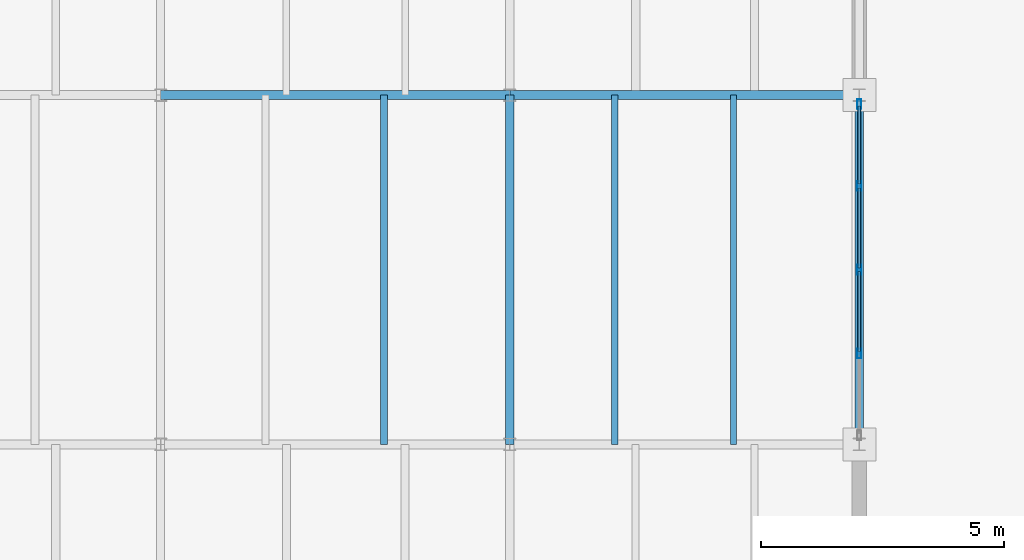
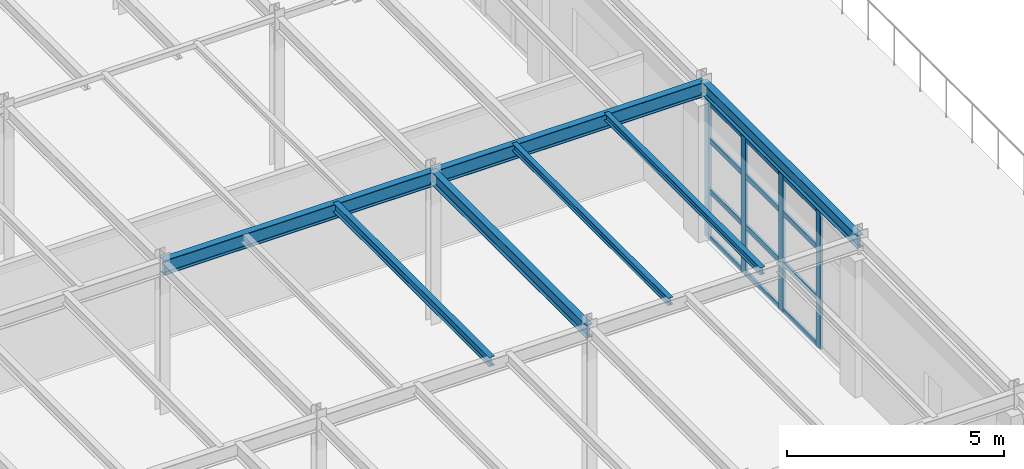
# One storey, part 16 of 36: 16 members, 7 beams, 1 element without a shape of its own.
"""IFC4 building model written with IfcOpenShell, lengths in metres."""

from ifc_helpers import new_model, si_unit, direction, frame, origin, origin_2d, place, context, subcontext, project, spatial, hollow_rectangle, i_section, extrude, material, layer, layer_set, material_profile, profile_set, type_object, element, aggregate, save


model = new_model("IFC4")

# Units and contexts
model_context = context("Model", 3, precision=1e-05, world=origin(), true_north=direction((0.0, 1.0)))
body_context = subcontext(model_context, "Body", "Model", "MODEL_VIEW")
ifc_project = project(units=[si_unit("LENGTHUNIT", "METRE"), si_unit("AREAUNIT", "SQUARE_METRE"), si_unit("VOLUMEUNIT", "CUBIC_METRE"), si_unit("PLANEANGLEUNIT", "RADIAN"), si_unit("MASSUNIT", "GRAM", prefix="KILO")], contexts=[model_context])

# Site, building, storey
site_placement = place(None, origin())
site = spatial("IfcSite", under=ifc_project, at=site_placement, CompositionType="ELEMENT")
building_placement = place(site_placement, origin())
building = spatial("IfcBuilding", under=site, at=building_placement, Name="Kemerveld Promenade Tramway Depot", CompositionType="ELEMENT")
storey_placement = place(building_placement, frame((0.0, 0.0, 14.39990234375)))
storey = spatial("IfcBuildingStorey", under=building, at=storey_placement, Name="L03", CompositionType="ELEMENT", Elevation=14.39990234375)

# Beams
ifc_material_1 = material(Name="Steel S355", Category="steel")
ifc_material_profile_1 = material_profile(ifc_material_1, i_section(OverallWidth=0.1787109375, OverallDepth=0.409423828125, WebThickness=0.0087890625, FlangeThickness=0.014404296875, FilletRadius=0.01025390625, at=origin_2d()), Name="406x178x67 UB")
ifc_profile_set_1 = profile_set([ifc_material_profile_1], Name="Steel S355")
beam_type_1 = type_object("IfcBeamType", Name="BM-G07", PredefinedType="BEAM", material=ifc_profile_set_1)
for number, where, z_axis, x_axis, name in (
    (1, (28.800048828125, 21.60009765625, 4.080322265625), (1.0, 0.0, 0.0), (0.0, 1.0, 0.0), "BMX-L03-05-06-D"),
    (2, (36.0, 21.60009765625, 4.080322265625), (1.0, 0.0, 0.0), (0.0, 1.0, 0.0), "BMX-L03-06-07-D"),
):
    element("IfcBeam", number, at=place(storey_placement, frame(where, z_axis=z_axis, x_axis=x_axis)), inside=storey, type_object=beam_type_1, Name=name, PredefinedType="BEAM", context=body_context, shape_type="SweptSolid", body=[
        extrude(i_section(OverallWidth=0.1787109375, OverallDepth=0.409423828125, WebThickness=0.0087890625, FlangeThickness=0.014404296875, FilletRadius=0.01025390625, at=origin_2d()), origin(), (0.0, 0.0, 1.0), 7.199951171875),
    ])
ifc_material_profile_2 = material_profile(ifc_material_1, i_section(OverallWidth=0.172119140625, OverallDepth=0.35791015625, WebThickness=0.008056640625, FlangeThickness=0.012939453125, FilletRadius=0.01025390625, at=origin_2d()), Name="356x171x57 UB")
ifc_profile_set_2 = profile_set([ifc_material_profile_2], Name="Steel S355")
beam_type_2 = type_object("IfcBeamType", Name="BM-G08", PredefinedType="BEAM", material=ifc_profile_set_2)
for number, where, z_axis, x_axis, name in (
    (3, (36.0, 14.39990234375, 4.106201171875), (0.0, 1.0, 0.0), (-1.0, 0.0, 0.0), "BMY-L03-06-C-D"),
    (4, (43.199951171875, 14.39990234375, 4.106201171875), (0.0, 1.0, 0.0), (-1.0, 0.0, 0.0), "BMY-L03-07-C-D"),
):
    element("IfcBeam", number, at=place(storey_placement, frame(where, z_axis=z_axis, x_axis=x_axis)), inside=storey, type_object=beam_type_2, Name=name, PredefinedType="BEAM", context=body_context, shape_type="SweptSolid", body=[
        extrude(i_section(OverallWidth=0.172119140625, OverallDepth=0.35791015625, WebThickness=0.008056640625, FlangeThickness=0.012939453125, FilletRadius=0.01025390625, at=origin_2d()), origin(), (0.0, 0.0, 1.0), 7.2001953125),
    ])
ifc_material_profile_3 = material_profile(ifc_material_1, i_section(OverallWidth=0.146484375, OverallDepth=0.256103515625, WebThickness=0.00634765625, FlangeThickness=0.010986328125, FilletRadius=0.007568359375, at=origin_2d()), Name="254x146x37 UB")
ifc_profile_set_3 = profile_set([ifc_material_profile_3], Name="Steel S355")
beam_type_3 = type_object("IfcBeamType", Name="BM-J02", PredefinedType="JOIST", material=ifc_profile_set_3)
beam_placement = place(storey_placement, frame((33.407958984375, 14.39990234375, 4.156982421875), z_axis=(0.0, 1.0, 0.0), x_axis=(-1.0, 0.0, 0.0)))
element("IfcBeam", 5, at=beam_placement, inside=storey, type_object=beam_type_3, Name="JST-L03-05-C-2", PredefinedType="JOIST", context=body_context, shape_type="SweptSolid", body=[
    extrude(i_section(OverallWidth=0.146484375, OverallDepth=0.256103515625, WebThickness=0.00634765625, FlangeThickness=0.010986328125, FilletRadius=0.007568359375, at=origin_2d()), origin(), (0.0, 0.0, 1.0), 7.2001953125),
])
ifc_material_profile_4 = material_profile(ifc_material_1, i_section(OverallWidth=0.13330078125, OverallDepth=0.203125, WebThickness=0.005615234375, FlangeThickness=0.0078125, FilletRadius=0.007568359375, at=origin_2d()), Name="203x133x25 UB")
ifc_profile_set_4 = profile_set([ifc_material_profile_4], Name="Steel S355")
beam_type_4 = type_object("IfcBeamType", Name="BM-J03", PredefinedType="JOIST", material=ifc_profile_set_4)
for number, where, z_axis, x_axis, name in (
    (6, (38.159912109375, 14.39990234375, 4.18359375), (0.0, 1.0, 0.0), (-1.0, 0.0, 0.0), "JST-L03-06-C-1"),
    (7, (40.60791015625, 14.39990234375, 4.18359375), (0.0, 1.0, 0.0), (-1.0, 0.0, 0.0), "JST-L03-06-C-2"),
):
    element("IfcBeam", number, at=place(storey_placement, frame(where, z_axis=z_axis, x_axis=x_axis)), inside=storey, type_object=beam_type_4, Name=name, PredefinedType="JOIST", context=body_context, shape_type="SweptSolid", body=[
        extrude(i_section(OverallWidth=0.13330078125, OverallDepth=0.203125, WebThickness=0.005615234375, FlangeThickness=0.0078125, FilletRadius=0.007568359375, at=origin_2d()), origin(), (0.0, 0.0, 1.0), 7.2001953125),
    ])

# Curtain wall, members
ifc_material_2 = material(Name="Bronze anodised aluminium and solar glass", Category="aluminium")
ifc_layer = layer(ifc_material_2, 0.199951171875)
ifc_layer_set = layer_set([ifc_layer], Name="CW-SYS-10")
curtain_wall_type = type_object("IfcCurtainWallType", Name="CW-SYS-10", PredefinedType="USERDEFINED", material=ifc_layer_set)
curtain_wall_placement = place(storey_placement, origin())
curtain_wall = element("IfcCurtainWall", 8, at=curtain_wall_placement, inside=storey, type_object=curtain_wall_type, Name="CW-L03-V5E-07", ObjectType="GLAZED_CURTAIN_WALL", PredefinedType="USERDEFINED")
ifc_material_3 = material(Name="Bronze anodised aluminium", Category="aluminium")
ifc_material_profile_5 = material_profile(ifc_material_3, hollow_rectangle(XDim=0.074951171875, YDim=0.199951171875, WallThickness=0.0048828125, InnerFilletRadius=0.001953125, OuterFilletRadius=0.0048828125, at=origin_2d()), Name="CW-MUL-200x75")
ifc_profile_set_5 = profile_set([ifc_material_profile_5], Name="Bronze anodised aluminium")
member_type_1 = type_object("IfcMemberType", Name="CW-MUL-B", PredefinedType="MULLION", material=ifc_profile_set_5)
member_1_placement = place(storey_placement, frame((43.199951171875, 21.412353515625, 0.0), z_axis=(0.0, 0.0, 1.0), x_axis=(1.0, 0.0, 0.0)))
member_1 = element("IfcMember", 9, at=member_1_placement, type_object=member_type_1, Name="CW10 mullion 1", PredefinedType="MULLION", context=body_context, shape_type="SweptSolid", body=[
    extrude(hollow_rectangle(XDim=0.074951171875, YDim=0.199951171875, WallThickness=0.0048828125, InnerFilletRadius=0.001953125, OuterFilletRadius=0.0048828125, at=origin_2d()), origin(), (0.0, 0.0, 1.0), 3.85009765625),
])
member_2_placement = place(storey_placement, frame((43.199951171875, 19.724853515625, 0.0), z_axis=(0.0, 0.0, 1.0), x_axis=(1.0, 0.0, 0.0)))
member_2 = element("IfcMember", 10, at=member_2_placement, type_object=member_type_1, Name="CW10 mullion 2", PredefinedType="MULLION", context=body_context, shape_type="SweptSolid", body=[
    extrude(hollow_rectangle(XDim=0.074951171875, YDim=0.199951171875, WallThickness=0.0048828125, InnerFilletRadius=0.001953125, OuterFilletRadius=0.0048828125, at=origin_2d()), origin(), (0.0, 0.0, 1.0), 3.85009765625),
])
member_3_placement = place(storey_placement, frame((43.199951171875, 18.0, 0.0), z_axis=(0.0, 0.0, 1.0), x_axis=(1.0, 0.0, 0.0)))
member_3 = element("IfcMember", 11, at=member_3_placement, type_object=member_type_1, Name="CW10 mullion 3", PredefinedType="MULLION", context=body_context, shape_type="SweptSolid", body=[
    extrude(hollow_rectangle(XDim=0.074951171875, YDim=0.199951171875, WallThickness=0.0048828125, InnerFilletRadius=0.001953125, OuterFilletRadius=0.0048828125, at=origin_2d()), origin(), (0.0, 0.0, 1.0), 3.85009765625),
])
member_4_placement = place(storey_placement, frame((43.199951171875, 16.275146484375, 0.0), z_axis=(0.0, 0.0, 1.0), x_axis=(1.0, 0.0, 0.0)))
member_4 = element("IfcMember", 12, at=member_4_placement, type_object=member_type_1, Name="CW10 mullion 4", PredefinedType="MULLION", context=body_context, shape_type="SweptSolid", body=[
    extrude(hollow_rectangle(XDim=0.074951171875, YDim=0.199951171875, WallThickness=0.0048828125, InnerFilletRadius=0.001953125, OuterFilletRadius=0.0048828125, at=origin_2d()), origin(), (0.0, 0.0, 1.0), 3.85009765625),
])
ifc_material_profile_6 = material_profile(ifc_material_3, hollow_rectangle(XDim=0.06494140625, YDim=0.14990234375, WallThickness=0.00439453125, InnerFilletRadius=0.001953125, OuterFilletRadius=0.00439453125, at=origin_2d()), Name="CW-TRN-150x65")
ifc_profile_set_6 = profile_set([ifc_material_profile_6], Name="Bronze anodised aluminium")
member_type_2 = type_object("IfcMemberType", Name="CW-TRN-B", PredefinedType="USERDEFINED", material=ifc_profile_set_6)
member_5_placement = place(storey_placement, frame((43.199951171875, 21.375, 0.03271484375), z_axis=(0.0, -1.0, 0.0), x_axis=(1.0, 0.0, 0.0)))
member_5 = element("IfcMember", 13, at=member_5_placement, type_object=member_type_2, Name="CW10 transom 1.1", ObjectType="TRANSOM", PredefinedType="USERDEFINED", context=body_context, shape_type="SweptSolid", body=[
    extrude(hollow_rectangle(XDim=0.06494140625, YDim=0.14990234375, WallThickness=0.00439453125, InnerFilletRadius=0.001953125, OuterFilletRadius=0.00439453125, at=origin_2d()), origin(), (0.0, 0.0, 1.0), 1.612548828125),
])
member_6_placement = place(storey_placement, frame((43.199951171875, 21.375, 1.34814453125), z_axis=(0.0, -1.0, 0.0), x_axis=(1.0, 0.0, 0.0)))
member_6 = element("IfcMember", 14, at=member_6_placement, type_object=member_type_2, Name="CW10 transom 1.2", ObjectType="TRANSOM", PredefinedType="USERDEFINED", context=body_context, shape_type="SweptSolid", body=[
    extrude(hollow_rectangle(XDim=0.06494140625, YDim=0.14990234375, WallThickness=0.00439453125, InnerFilletRadius=0.001953125, OuterFilletRadius=0.00439453125, at=origin_2d()), origin(), (0.0, 0.0, 1.0), 1.612548828125),
])
member_7_placement = place(storey_placement, frame((43.199951171875, 21.375, 2.772216796875), z_axis=(0.0, -1.0, 0.0), x_axis=(1.0, 0.0, 0.0)))
member_7 = element("IfcMember", 15, at=member_7_placement, type_object=member_type_2, Name="CW10 transom 1.3", ObjectType="TRANSOM", PredefinedType="USERDEFINED", context=body_context, shape_type="SweptSolid", body=[
    extrude(hollow_rectangle(XDim=0.06494140625, YDim=0.14990234375, WallThickness=0.00439453125, InnerFilletRadius=0.001953125, OuterFilletRadius=0.00439453125, at=origin_2d()), origin(), (0.0, 0.0, 1.0), 1.612548828125),
])
member_8_placement = place(storey_placement, frame((43.199951171875, 21.375, 3.817626953125), z_axis=(0.0, -1.0, 0.0), x_axis=(1.0, 0.0, 0.0)))
member_8 = element("IfcMember", 16, at=member_8_placement, type_object=member_type_2, Name="CW10 transom 1.4", ObjectType="TRANSOM", PredefinedType="USERDEFINED", context=body_context, shape_type="SweptSolid", body=[
    extrude(hollow_rectangle(XDim=0.06494140625, YDim=0.14990234375, WallThickness=0.00439453125, InnerFilletRadius=0.001953125, OuterFilletRadius=0.00439453125, at=origin_2d()), origin(), (0.0, 0.0, 1.0), 1.612548828125),
])
member_9_placement = place(storey_placement, frame((43.199951171875, 19.6875, 0.03271484375), z_axis=(0.0, -1.0, 0.0), x_axis=(1.0, 0.0, 0.0)))
member_9 = element("IfcMember", 17, at=member_9_placement, type_object=member_type_2, Name="CW10 transom 2.1", ObjectType="TRANSOM", PredefinedType="USERDEFINED", context=body_context, shape_type="SweptSolid", body=[
    extrude(hollow_rectangle(XDim=0.06494140625, YDim=0.14990234375, WallThickness=0.00439453125, InnerFilletRadius=0.001953125, OuterFilletRadius=0.00439453125, at=origin_2d()), origin(), (0.0, 0.0, 1.0), 1.64990234375),
])
member_10_placement = place(storey_placement, frame((43.199951171875, 19.6875, 1.34814453125), z_axis=(0.0, -1.0, 0.0), x_axis=(1.0, 0.0, 0.0)))
member_10 = element("IfcMember", 18, at=member_10_placement, type_object=member_type_2, Name="CW10 transom 2.2", ObjectType="TRANSOM", PredefinedType="USERDEFINED", context=body_context, shape_type="SweptSolid", body=[
    extrude(hollow_rectangle(XDim=0.06494140625, YDim=0.14990234375, WallThickness=0.00439453125, InnerFilletRadius=0.001953125, OuterFilletRadius=0.00439453125, at=origin_2d()), origin(), (0.0, 0.0, 1.0), 1.64990234375),
])
member_11_placement = place(storey_placement, frame((43.199951171875, 19.6875, 2.772216796875), z_axis=(0.0, -1.0, 0.0), x_axis=(1.0, 0.0, 0.0)))
member_11 = element("IfcMember", 19, at=member_11_placement, type_object=member_type_2, Name="CW10 transom 2.3", ObjectType="TRANSOM", PredefinedType="USERDEFINED", context=body_context, shape_type="SweptSolid", body=[
    extrude(hollow_rectangle(XDim=0.06494140625, YDim=0.14990234375, WallThickness=0.00439453125, InnerFilletRadius=0.001953125, OuterFilletRadius=0.00439453125, at=origin_2d()), origin(), (0.0, 0.0, 1.0), 1.64990234375),
])
member_12_placement = place(storey_placement, frame((43.199951171875, 19.6875, 3.817626953125), z_axis=(0.0, -1.0, 0.0), x_axis=(1.0, 0.0, 0.0)))
member_12 = element("IfcMember", 20, at=member_12_placement, type_object=member_type_2, Name="CW10 transom 2.4", ObjectType="TRANSOM", PredefinedType="USERDEFINED", context=body_context, shape_type="SweptSolid", body=[
    extrude(hollow_rectangle(XDim=0.06494140625, YDim=0.14990234375, WallThickness=0.00439453125, InnerFilletRadius=0.001953125, OuterFilletRadius=0.00439453125, at=origin_2d()), origin(), (0.0, 0.0, 1.0), 1.64990234375),
])
member_13_placement = place(storey_placement, frame((43.199951171875, 17.962646484375, 0.03271484375), z_axis=(0.0, -1.0, 0.0), x_axis=(1.0, 0.0, 0.0)))
member_13 = element("IfcMember", 21, at=member_13_placement, type_object=member_type_2, Name="CW10 transom 3.1", ObjectType="TRANSOM", PredefinedType="USERDEFINED", context=body_context, shape_type="SweptSolid", body=[
    extrude(hollow_rectangle(XDim=0.06494140625, YDim=0.14990234375, WallThickness=0.00439453125, InnerFilletRadius=0.001953125, OuterFilletRadius=0.00439453125, at=origin_2d()), origin(), (0.0, 0.0, 1.0), 1.64990234375),
])
member_14_placement = place(storey_placement, frame((43.199951171875, 17.962646484375, 1.34814453125), z_axis=(0.0, -1.0, 0.0), x_axis=(1.0, 0.0, 0.0)))
member_14 = element("IfcMember", 22, at=member_14_placement, type_object=member_type_2, Name="CW10 transom 3.2", ObjectType="TRANSOM", PredefinedType="USERDEFINED", context=body_context, shape_type="SweptSolid", body=[
    extrude(hollow_rectangle(XDim=0.06494140625, YDim=0.14990234375, WallThickness=0.00439453125, InnerFilletRadius=0.001953125, OuterFilletRadius=0.00439453125, at=origin_2d()), origin(), (0.0, 0.0, 1.0), 1.64990234375),
])
member_15_placement = place(storey_placement, frame((43.199951171875, 17.962646484375, 2.772216796875), z_axis=(0.0, -1.0, 0.0), x_axis=(1.0, 0.0, 0.0)))
member_15 = element("IfcMember", 23, at=member_15_placement, type_object=member_type_2, Name="CW10 transom 3.3", ObjectType="TRANSOM", PredefinedType="USERDEFINED", context=body_context, shape_type="SweptSolid", body=[
    extrude(hollow_rectangle(XDim=0.06494140625, YDim=0.14990234375, WallThickness=0.00439453125, InnerFilletRadius=0.001953125, OuterFilletRadius=0.00439453125, at=origin_2d()), origin(), (0.0, 0.0, 1.0), 1.64990234375),
])
member_16_placement = place(storey_placement, frame((43.199951171875, 17.962646484375, 3.817626953125), z_axis=(0.0, -1.0, 0.0), x_axis=(1.0, 0.0, 0.0)))
member_16 = element("IfcMember", 24, at=member_16_placement, type_object=member_type_2, Name="CW10 transom 3.4", ObjectType="TRANSOM", PredefinedType="USERDEFINED", context=body_context, shape_type="SweptSolid", body=[
    extrude(hollow_rectangle(XDim=0.06494140625, YDim=0.14990234375, WallThickness=0.00439453125, InnerFilletRadius=0.001953125, OuterFilletRadius=0.00439453125, at=origin_2d()), origin(), (0.0, 0.0, 1.0), 1.64990234375),
])
aggregate(curtain_wall, [member_1, member_2, member_3, member_4, member_5, member_6, member_7, member_8, member_9, member_10, member_11, member_12, member_13, member_14, member_15, member_16])

save(model, "model.ifc")
